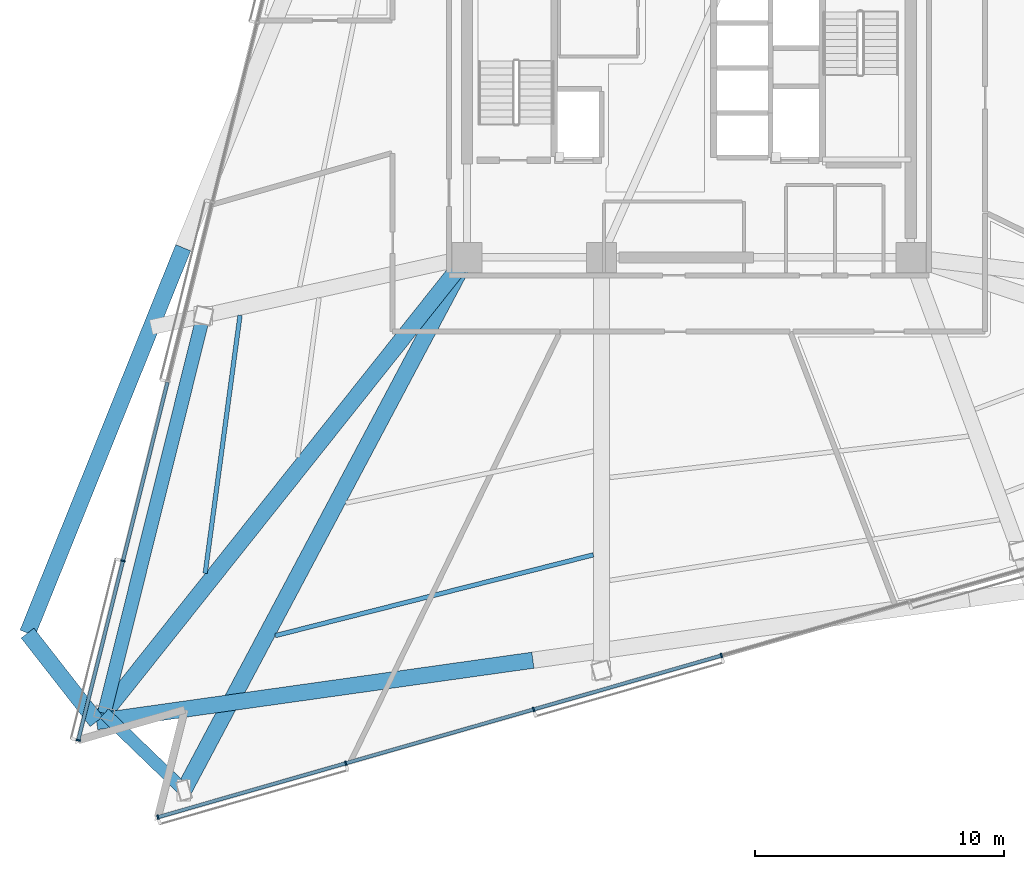
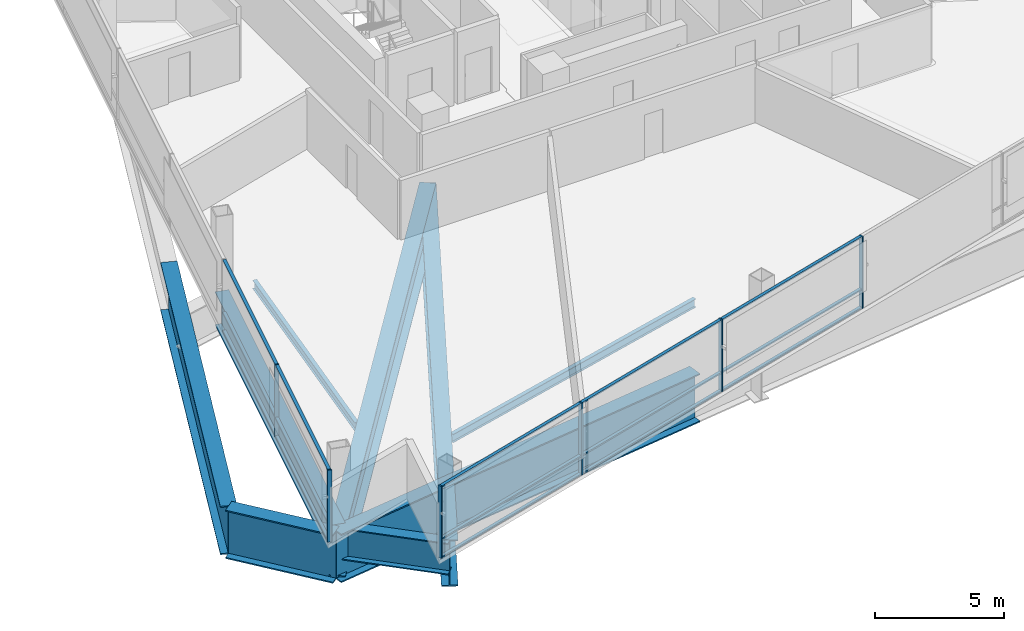
# One storey, part 2 of 21: 21 members, 9 beams, 2 elements without a shape of their own.
"""IFC4 building model written with IfcOpenShell, lengths in metres."""

from ifc_helpers import new_model, si_unit, direction, frame, origin, origin_2d, place, context, subcontext, project, spatial, rectangle, i_section, extrude, material, layer, layer_set, material_profile, profile_set, type_object, element, aggregate, save


model = new_model("IFC4")

# Units and contexts
model_context = context("Model", 3, precision=1e-05, world=origin(), true_north=direction((0.0, 1.0)))
body_context = subcontext(model_context, "Body", "Model", "MODEL_VIEW")
ifc_project = project(units=[si_unit("LENGTHUNIT", "METRE"), si_unit("AREAUNIT", "SQUARE_METRE"), si_unit("VOLUMEUNIT", "CUBIC_METRE"), si_unit("PLANEANGLEUNIT", "RADIAN"), si_unit("MASSUNIT", "GRAM", prefix="KILO")], contexts=[model_context])

# Site, building, storey
site_placement = place(None, origin())
site = spatial("IfcSite", under=ifc_project, at=site_placement, CompositionType="ELEMENT")
building_placement = place(site_placement, origin())
building = spatial("IfcBuilding", under=site, at=building_placement, Name="Tharavind Bronze Gate", CompositionType="ELEMENT")
storey_placement = place(building_placement, frame((0.0, 0.0, 86.10009765625)))
storey = spatial("IfcBuildingStorey", under=building, at=storey_placement, Name="L21", CompositionType="ELEMENT", Elevation=86.10009765625)

# Curtain wall, members
ifc_material_1 = material(Name="Anodised Bronze Aluminium", Category="aluminium")
ifc_layer = layer(ifc_material_1, 0.219970703125)
ifc_layer_set = layer_set([ifc_layer], Name="Anodised Bronze Aluminium")
curtain_wall_type = type_object("IfcCurtainWallType", Name="UNITISED CURTAIN WALL LOWER OFFICE", PredefinedType="USERDEFINED", material=ifc_layer_set)
curtain_wall_1_placement = place(storey_placement, origin())
curtain_wall_1 = element("IfcCurtainWall", 1, at=curtain_wall_1_placement, inside=storey, type_object=curtain_wall_type, Name="L21 unitised curtain wall lower office CW-L21-S1", ObjectType="UNITISED CURTAIN WALL", PredefinedType="USERDEFINED")
member_type_1 = type_object("IfcMemberType", Name="CURTAIN WALL BRONZE MULLION 65X180", PredefinedType="MULLION", material=ifc_material_1)
member_1_placement = place(storey_placement, frame((-22.695556640625, -19.76953125, 0.0), z_axis=(0.0, 0.0, 1.0), x_axis=(-0.2419218956, -0.970295726276, 0.0)))
member_1 = element("IfcMember", 2, at=member_1_placement, type_object=member_type_1, Name="CW-L21-S1 mullion 7", PredefinedType="MULLION", context=body_context, shape_type="SweptSolid", body=[
    extrude(rectangle(XDim=0.06494140625, YDim=0.179931640625, at=origin_2d()), origin(), (0.0, 0.0, 1.0), 3.409912109375),
])
member_2_placement = place(storey_placement, frame((-24.4892578125, -26.963623046875, 0.0), z_axis=(0.0, 0.0, 1.0), x_axis=(-0.2419218956, -0.970295726276, 0.0)))
member_2 = element("IfcMember", 3, at=member_2_placement, type_object=member_type_1, Name="CW-L21-S1 mullion 8", PredefinedType="MULLION", context=body_context, shape_type="SweptSolid", body=[
    extrude(rectangle(XDim=0.06494140625, YDim=0.179931640625, at=origin_2d()), origin(), (0.0, 0.0, 1.0), 3.409912109375),
])

curtain_wall_2_placement = place(storey_placement, origin())
curtain_wall_2 = element("IfcCurtainWall", 4, at=curtain_wall_2_placement, inside=storey, type_object=curtain_wall_type, Name="L21 unitised curtain wall lower office CW-L21-S2", ObjectType="UNITISED CURTAIN WALL", PredefinedType="USERDEFINED")
member_3_placement = place(storey_placement, frame((-21.29541015625, -30.0478515625, 0.0), z_axis=(0.0, 0.0, 1.0), x_axis=(0.961261695938, 0.275637355817, 0.0)))
member_3 = element("IfcMember", 5, at=member_3_placement, type_object=member_type_1, Name="CW-L21-S2 mullion 1", PredefinedType="MULLION", context=body_context, shape_type="SweptSolid", body=[
    extrude(rectangle(XDim=0.06494140625, YDim=0.179931640625, at=origin_2d()), origin(), (0.0, 0.0, 1.0), 3.409912109375),
])
member_4_placement = place(storey_placement, frame((-13.761962890625, -27.8876953125, 0.0), z_axis=(0.0, 0.0, 1.0), x_axis=(0.961261695938, 0.275637355817, 0.0)))
member_4 = element("IfcMember", 6, at=member_4_placement, type_object=member_type_1, Name="CW-L21-S2 mullion 2", PredefinedType="MULLION", context=body_context, shape_type="SweptSolid", body=[
    extrude(rectangle(XDim=0.06494140625, YDim=0.179931640625, at=origin_2d()), origin(), (0.0, 0.0, 1.0), 3.409912109375),
])
member_5_placement = place(storey_placement, frame((-6.228515625, -25.727294921875, 0.0), z_axis=(0.0, 0.0, 1.0), x_axis=(0.961261695938, 0.275637355817, 0.0)))
member_5 = element("IfcMember", 7, at=member_5_placement, type_object=member_type_1, Name="CW-L21-S2 mullion 3", PredefinedType="MULLION", context=body_context, shape_type="SweptSolid", body=[
    extrude(rectangle(XDim=0.06494140625, YDim=0.179931640625, at=origin_2d()), origin(), (0.0, 0.0, 1.0), 3.409912109375),
])
member_6_placement = place(storey_placement, frame((1.304931640625, -23.567138671875, 0.0), z_axis=(0.0, 0.0, 1.0), x_axis=(0.961261695938, 0.275637355817, 0.0)))
member_6 = element("IfcMember", 8, at=member_6_placement, type_object=member_type_1, Name="CW-L21-S2 mullion 4", PredefinedType="MULLION", context=body_context, shape_type="SweptSolid", body=[
    extrude(rectangle(XDim=0.06494140625, YDim=0.179931640625, at=origin_2d()), origin(), (0.0, 0.0, 1.0), 3.409912109375),
])

# Member
member_type_2 = type_object("IfcMemberType", Name="CURTAIN WALL BRONZE TRANSOM 65X140", PredefinedType="USERDEFINED", material=ifc_material_1)
member_7_placement = place(storey_placement, frame((-21.798828125, -16.172607421875, 0.0), z_axis=(0.0, 0.0, 1.0), x_axis=(-0.2419218956, -0.970295726276, 0.0)))
member_7 = element("IfcMember", 9, at=member_7_placement, type_object=member_type_2, Name="CW-L21-S1 transom TB6", ObjectType="TRANSOM", PredefinedType="USERDEFINED", context=body_context, shape_type="SweptSolid", body=[
    extrude(rectangle(XDim=7.361083984375, YDim=0.139892578125, at=origin_2d()), origin(), (0.0, 0.0, 1.0), 0.06494140625),
])

member_8_placement = place(storey_placement, frame((-21.798828125, -16.172607421875, 0.867431640625), z_axis=(0.0, 0.0, 1.0), x_axis=(-0.2419218956, -0.970295726276, 0.0)))
member_8 = element("IfcMember", 10, at=member_8_placement, type_object=member_type_2, Name="CW-L21-S1 transom TS6", ObjectType="TRANSOM", PredefinedType="USERDEFINED", context=body_context, shape_type="SweptSolid", body=[
    extrude(rectangle(XDim=7.361083984375, YDim=0.139892578125, at=origin_2d()), origin(), (0.0, 0.0, 1.0), 0.06494140625),
])

member_9_placement = place(storey_placement, frame((-21.798828125, -16.172607421875, 3.344970703125), z_axis=(0.0, 0.0, 1.0), x_axis=(-0.2419218956, -0.970295726276, 0.0)))
member_9 = element("IfcMember", 11, at=member_9_placement, type_object=member_type_2, Name="CW-L21-S1 transom TT6", ObjectType="TRANSOM", PredefinedType="USERDEFINED", context=body_context, shape_type="SweptSolid", body=[
    extrude(rectangle(XDim=7.361083984375, YDim=0.139892578125, at=origin_2d()), origin(), (0.0, 0.0, 1.0), 0.06494140625),
])

member_10_placement = place(storey_placement, frame((-23.592529296875, -23.36669921875, 0.0), z_axis=(0.0, 0.0, 1.0), x_axis=(-0.2419218956, -0.970295726276, 0.0)))
member_10 = element("IfcMember", 12, at=member_10_placement, type_object=member_type_2, Name="CW-L21-S1 transom TB7", ObjectType="TRANSOM", PredefinedType="USERDEFINED", context=body_context, shape_type="SweptSolid", body=[
    extrude(rectangle(XDim=7.361083984375, YDim=0.139892578125, at=origin_2d()), origin(), (0.0, 0.0, 1.0), 0.06494140625),
])

member_11_placement = place(storey_placement, frame((-23.592529296875, -23.36669921875, 0.867431640625), z_axis=(0.0, 0.0, 1.0), x_axis=(-0.2419218956, -0.970295726276, 0.0)))
member_11 = element("IfcMember", 13, at=member_11_placement, type_object=member_type_2, Name="CW-L21-S1 transom TS7", ObjectType="TRANSOM", PredefinedType="USERDEFINED", context=body_context, shape_type="SweptSolid", body=[
    extrude(rectangle(XDim=7.361083984375, YDim=0.139892578125, at=origin_2d()), origin(), (0.0, 0.0, 1.0), 0.06494140625),
])

member_12_placement = place(storey_placement, frame((-23.592529296875, -23.36669921875, 3.344970703125), z_axis=(0.0, 0.0, 1.0), x_axis=(-0.2419218956, -0.970295726276, 0.0)))
member_12 = element("IfcMember", 14, at=member_12_placement, type_object=member_type_2, Name="CW-L21-S1 transom TT7", ObjectType="TRANSOM", PredefinedType="USERDEFINED", context=body_context, shape_type="SweptSolid", body=[
    extrude(rectangle(XDim=7.361083984375, YDim=0.139892578125, at=origin_2d()), origin(), (0.0, 0.0, 1.0), 0.06494140625),
])

aggregate(curtain_wall_1, [member_1, member_2, member_7, member_8, member_9, member_10, member_11, member_12])

member_13_placement = place(storey_placement, frame((-17.52880859375, -28.9677734375, 0.0), z_axis=(0.0, 0.0, 1.0), x_axis=(0.961261695938, 0.275637355817, 0.0)))
member_13 = element("IfcMember", 15, at=member_13_placement, type_object=member_type_2, Name="CW-L21-S2 transom TB1", ObjectType="TRANSOM", PredefinedType="USERDEFINED", context=body_context, shape_type="SweptSolid", body=[
    extrude(rectangle(XDim=7.7841796875, YDim=0.139892578125, at=origin_2d()), origin(), (0.0, 0.0, 1.0), 0.06494140625),
])

member_14_placement = place(storey_placement, frame((-17.52880859375, -28.9677734375, 0.867431640625), z_axis=(0.0, 0.0, 1.0), x_axis=(0.961261695938, 0.275637355817, 0.0)))
member_14 = element("IfcMember", 16, at=member_14_placement, type_object=member_type_2, Name="CW-L21-S2 transom TS1", ObjectType="TRANSOM", PredefinedType="USERDEFINED", context=body_context, shape_type="SweptSolid", body=[
    extrude(rectangle(XDim=7.7841796875, YDim=0.139892578125, at=origin_2d()), origin(), (0.0, 0.0, 1.0), 0.06494140625),
])

member_15_placement = place(storey_placement, frame((-17.52880859375, -28.9677734375, 3.344970703125), z_axis=(0.0, 0.0, 1.0), x_axis=(0.961261695938, 0.275637355817, 0.0)))
member_15 = element("IfcMember", 17, at=member_15_placement, type_object=member_type_2, Name="CW-L21-S2 transom TT1", ObjectType="TRANSOM", PredefinedType="USERDEFINED", context=body_context, shape_type="SweptSolid", body=[
    extrude(rectangle(XDim=7.7841796875, YDim=0.139892578125, at=origin_2d()), origin(), (0.0, 0.0, 1.0), 0.06494140625),
])

member_16_placement = place(storey_placement, frame((-9.995361328125, -26.8076171875, 0.0), z_axis=(0.0, 0.0, 1.0), x_axis=(0.961261695938, 0.275637355817, 0.0)))
member_16 = element("IfcMember", 18, at=member_16_placement, type_object=member_type_2, Name="CW-L21-S2 transom TB2", ObjectType="TRANSOM", PredefinedType="USERDEFINED", context=body_context, shape_type="SweptSolid", body=[
    extrude(rectangle(XDim=7.7841796875, YDim=0.139892578125, at=origin_2d()), origin(), (0.0, 0.0, 1.0), 0.06494140625),
])

member_17_placement = place(storey_placement, frame((-9.995361328125, -26.8076171875, 0.867431640625), z_axis=(0.0, 0.0, 1.0), x_axis=(0.961261695938, 0.275637355817, 0.0)))
member_17 = element("IfcMember", 19, at=member_17_placement, type_object=member_type_2, Name="CW-L21-S2 transom TS2", ObjectType="TRANSOM", PredefinedType="USERDEFINED", context=body_context, shape_type="SweptSolid", body=[
    extrude(rectangle(XDim=7.7841796875, YDim=0.139892578125, at=origin_2d()), origin(), (0.0, 0.0, 1.0), 0.06494140625),
])

member_18_placement = place(storey_placement, frame((-9.995361328125, -26.8076171875, 3.344970703125), z_axis=(0.0, 0.0, 1.0), x_axis=(0.961261695938, 0.275637355817, 0.0)))
member_18 = element("IfcMember", 20, at=member_18_placement, type_object=member_type_2, Name="CW-L21-S2 transom TT2", ObjectType="TRANSOM", PredefinedType="USERDEFINED", context=body_context, shape_type="SweptSolid", body=[
    extrude(rectangle(XDim=7.7841796875, YDim=0.139892578125, at=origin_2d()), origin(), (0.0, 0.0, 1.0), 0.06494140625),
])

member_19_placement = place(storey_placement, frame((-2.4619140625, -24.647216796875, 0.0), z_axis=(0.0, 0.0, 1.0), x_axis=(0.961261695938, 0.275637355817, 0.0)))
member_19 = element("IfcMember", 21, at=member_19_placement, type_object=member_type_2, Name="CW-L21-S2 transom TB3", ObjectType="TRANSOM", PredefinedType="USERDEFINED", context=body_context, shape_type="SweptSolid", body=[
    extrude(rectangle(XDim=7.7841796875, YDim=0.139892578125, at=origin_2d()), origin(), (0.0, 0.0, 1.0), 0.06494140625),
])

member_20_placement = place(storey_placement, frame((-2.4619140625, -24.647216796875, 0.867431640625), z_axis=(0.0, 0.0, 1.0), x_axis=(0.961261695938, 0.275637355817, 0.0)))
member_20 = element("IfcMember", 22, at=member_20_placement, type_object=member_type_2, Name="CW-L21-S2 transom TS3", ObjectType="TRANSOM", PredefinedType="USERDEFINED", context=body_context, shape_type="SweptSolid", body=[
    extrude(rectangle(XDim=7.7841796875, YDim=0.139892578125, at=origin_2d()), origin(), (0.0, 0.0, 1.0), 0.06494140625),
])

member_21_placement = place(storey_placement, frame((-2.4619140625, -24.647216796875, 3.344970703125), z_axis=(0.0, 0.0, 1.0), x_axis=(0.961261695938, 0.275637355817, 0.0)))
member_21 = element("IfcMember", 23, at=member_21_placement, type_object=member_type_2, Name="CW-L21-S2 transom TT3", ObjectType="TRANSOM", PredefinedType="USERDEFINED", context=body_context, shape_type="SweptSolid", body=[
    extrude(rectangle(XDim=7.7841796875, YDim=0.139892578125, at=origin_2d()), origin(), (0.0, 0.0, 1.0), 0.06494140625),
])

aggregate(curtain_wall_2, [member_3, member_4, member_5, member_6, member_13, member_14, member_15, member_16, member_17, member_18, member_19, member_20, member_21])

# Beams
ifc_material_2 = material(Name="Steel S355", Category="steel")
ifc_material_profile_1 = material_profile(ifc_material_2, i_section(OverallWidth=0.179931640625, OverallDepth=0.39990234375, WebThickness=0.008544921875, FlangeThickness=0.013427734375, at=origin_2d()), Name="IPE400")
ifc_profile_set_1 = profile_set([ifc_material_profile_1], Name="Steel S355")
beam_type_1 = type_object("IfcBeamType", Name="SECONDARY FLOOR JOIST IPE400", PredefinedType="JOIST", material=ifc_profile_set_1)
beam_1_placement = place(storey_placement, frame((-18.002197265625, -9.925048828125, -0.39013671875), z_axis=(-0.133828518335, -0.991004504369, 0.0), x_axis=(0.991004504369, -0.133828518335, 0.0)))
element("IfcBeam", 24, at=beam_1_placement, inside=storey, type_object=beam_type_1, Name="L21 secondary floor joist ipe400 BM-L21-JSTB03", PredefinedType="JOIST", context=body_context, shape_type="SweptSolid", body=[
    extrude(i_section(OverallWidth=0.179931640625, OverallDepth=0.39990234375, WebThickness=0.008544921875, FlangeThickness=0.013427734375, at=origin_2d()), origin(), (0.0, 0.0, 1.0), 10.4404296875),
])
beam_2_placement = place(storey_placement, frame((-16.58837890625, -22.76953125, -0.39013671875), z_axis=(0.969204415835, 0.246257589375, 0.0), x_axis=(-0.246257589375, 0.969204415835, 0.0)))
element("IfcBeam", 25, at=beam_2_placement, inside=storey, type_object=beam_type_1, Name="L21 secondary floor joist ipe400 BM-L21-JSTB05", PredefinedType="JOIST", context=body_context, shape_type="SweptSolid", body=[
    extrude(i_section(OverallWidth=0.179931640625, OverallDepth=0.39990234375, WebThickness=0.008544921875, FlangeThickness=0.013427734375, at=origin_2d()), origin(), (0.0, 0.0, 1.0), 13.158935546875),
])
ifc_material_3 = material(Name="Steel S460", Category="steel")
ifc_material_profile_2 = material_profile(ifc_material_3, i_section(OverallWidth=0.5, OverallDepth=1.5, WebThickness=0.028076171875, FlangeThickness=0.050048828125, at=origin_2d()), Name="PG1500X500")
ifc_profile_set_2 = profile_set([ifc_material_profile_2], Name="Steel S460")
beam_type_2 = type_object("IfcBeamType", Name="TRANSFER GIRDER 1500X500", PredefinedType="USERDEFINED", material=ifc_profile_set_2)
beam_3_placement = place(storey_placement, frame((-23.447265625, -25.884521484375, -0.940185546875), z_axis=(0.719343662261, -0.694654371299, 0.0), x_axis=(0.694654371299, 0.719343662261, 0.0)))
element("IfcBeam", 26, at=beam_3_placement, inside=storey, type_object=beam_type_2, Name="L21 transfer girder 1500x500 BM-L21-URG04", ObjectType="TRANSFER GIRDER", PredefinedType="USERDEFINED", context=body_context, shape_type="SweptSolid", body=[
    extrude(i_section(OverallWidth=0.5, OverallDepth=1.5, WebThickness=0.028076171875, FlangeThickness=0.050048828125, at=origin_2d()), origin(), (0.0, 0.0, 1.0), 4.43994140625),
])
ifc_material_profile_3 = material_profile(ifc_material_3, i_section(OverallWidth=0.550048828125, OverallDepth=1.60009765625, WebThickness=0.030029296875, FlangeThickness=0.050048828125, at=origin_2d()), Name="PG1600X550")
ifc_profile_set_3 = profile_set([ifc_material_profile_3], Name="Steel S460")
beam_type_3 = type_object("IfcBeamType", Name="TRANSFER GIRDER 1600X550", PredefinedType="USERDEFINED", material=ifc_profile_set_3)
beam_4_placement = place(storey_placement, frame((-19.4716796875, -9.93896484375, -0.989990234375), z_axis=(-0.24191686251, -0.970296981152, 0.0), x_axis=(0.970296981152, -0.24191686251, 0.0)))
element("IfcBeam", 27, at=beam_4_placement, inside=storey, type_object=beam_type_3, Name="L21 transfer girder 1600x550 BM-L21-URG03", ObjectType="TRANSFER GIRDER", PredefinedType="USERDEFINED", context=body_context, shape_type="SweptSolid", body=[
    extrude(i_section(OverallWidth=0.550048828125, OverallDepth=1.60009765625, WebThickness=0.030029296875, FlangeThickness=0.050048828125, at=origin_2d()), origin(), (0.0, 0.0, 1.0), 16.43359375),
])
ifc_material_profile_4 = material_profile(ifc_material_3, i_section(OverallWidth=0.64990234375, OverallDepth=2.199951171875, WebThickness=0.035888671875, FlangeThickness=0.054931640625, at=origin_2d()), Name="PG2200X650")
ifc_profile_set_4 = profile_set([ifc_material_profile_4], Name="Steel S460")
beam_type_4 = type_object("IfcBeamType", Name="TRANSFER GIRDER 2200X650", PredefinedType="USERDEFINED", material=ifc_profile_set_4)
beam_5_placement = place(storey_placement, frame((-8.89990234375, -7.60009765625, -1.2900390625), z_axis=(-0.62260174007, -0.782538863739, 0.0), x_axis=(0.782538863739, -0.62260174007, 0.0)))
element("IfcBeam", 28, at=beam_5_placement, inside=storey, type_object=beam_type_4, Name="L21 transfer girder 2200x650 BM-L21-XFR04", ObjectType="TRANSFER GIRDER", PredefinedType="USERDEFINED", context=body_context, shape_type="SweptSolid", body=[
    extrude(i_section(OverallWidth=0.64990234375, OverallDepth=2.199951171875, WebThickness=0.035888671875, FlangeThickness=0.054931640625, at=origin_2d()), origin(), (0.0, 0.0, 1.0), 23.778076171875),
])
beam_6_placement = place(storey_placement, frame((-8.89990234375, -7.60009765625, -1.2900390625), z_axis=(-0.469200962238, -0.883091420542, 0.0), x_axis=(0.883091420542, -0.469200962238, 0.0)))
element("IfcBeam", 29, at=beam_6_placement, inside=storey, type_object=beam_type_4, Name="L21 transfer girder 2200x650 BM-L21-XFR05", ObjectType="TRANSFER GIRDER", PredefinedType="USERDEFINED", context=body_context, shape_type="SweptSolid", body=[
    extrude(i_section(OverallWidth=0.64990234375, OverallDepth=2.199951171875, WebThickness=0.035888671875, FlangeThickness=0.054931640625, at=origin_2d()), origin(), (0.0, 0.0, 1.0), 24.197509765625),
])
ifc_material_profile_5 = material_profile(ifc_material_3, i_section(OverallWidth=0.64990234375, OverallDepth=2.300048828125, WebThickness=0.035888671875, FlangeThickness=0.05810546875, at=origin_2d()), Name="PG2300X650")
ifc_profile_set_5 = profile_set([ifc_material_profile_5], Name="Steel S460")
beam_type_5 = type_object("IfcBeamType", Name="TRANSFER GIRDER 2300X650", PredefinedType="USERDEFINED", material=ifc_profile_set_5)
beam_7_placement = place(storey_placement, frame((-20.28076171875, -7.212890625, -1.340087890625), z_axis=(-0.374603014443, -0.927185300557, 0.0), x_axis=(0.927185300557, -0.374603014443, 0.0)))
element("IfcBeam", 30, at=beam_7_placement, inside=storey, type_object=beam_type_5, Name="L21 transfer girder 2300x650 BM-L21-LRG03", ObjectType="TRANSFER GIRDER", PredefinedType="USERDEFINED", context=body_context, shape_type="SweptSolid", body=[
    extrude(i_section(OverallWidth=0.64990234375, OverallDepth=2.300048828125, WebThickness=0.035888671875, FlangeThickness=0.05810546875, at=origin_2d()), origin(), (0.0, 0.0, 1.0), 16.66943359375),
])
beam_8_placement = place(storey_placement, frame((-26.525146484375, -22.66845703125, -1.340087890625), z_axis=(0.615681943852, -0.787994761413, 0.0), x_axis=(0.787994761413, 0.615681943852, 0.0)))
element("IfcBeam", 31, at=beam_8_placement, inside=storey, type_object=beam_type_5, Name="L21 transfer girder 2300x650 BM-L21-LRG04", ObjectType="TRANSFER GIRDER", PredefinedType="USERDEFINED", context=body_context, shape_type="SweptSolid", body=[
    extrude(i_section(OverallWidth=0.64990234375, OverallDepth=2.300048828125, WebThickness=0.035888671875, FlangeThickness=0.05810546875, at=origin_2d()), origin(), (0.0, 0.0, 1.0), 4.5),
])
beam_9_placement = place(storey_placement, frame((-23.754638671875, -26.21435546875, -1.340087890625), z_axis=(0.990268870582, 0.13916739545, 0.0), x_axis=(-0.13916739545, 0.990268870582, 0.0)))
element("IfcBeam", 32, at=beam_9_placement, inside=storey, type_object=beam_type_5, Name="L21 transfer girder 2300x650 BM-L21-LRG05", ObjectType="TRANSFER GIRDER", PredefinedType="USERDEFINED", context=body_context, shape_type="SweptSolid", body=[
    extrude(i_section(OverallWidth=0.64990234375, OverallDepth=2.300048828125, WebThickness=0.035888671875, FlangeThickness=0.05810546875, at=origin_2d()), origin(), (0.0, 0.0, 1.0), 17.669189453125),
])

save(model, "model.ifc")
